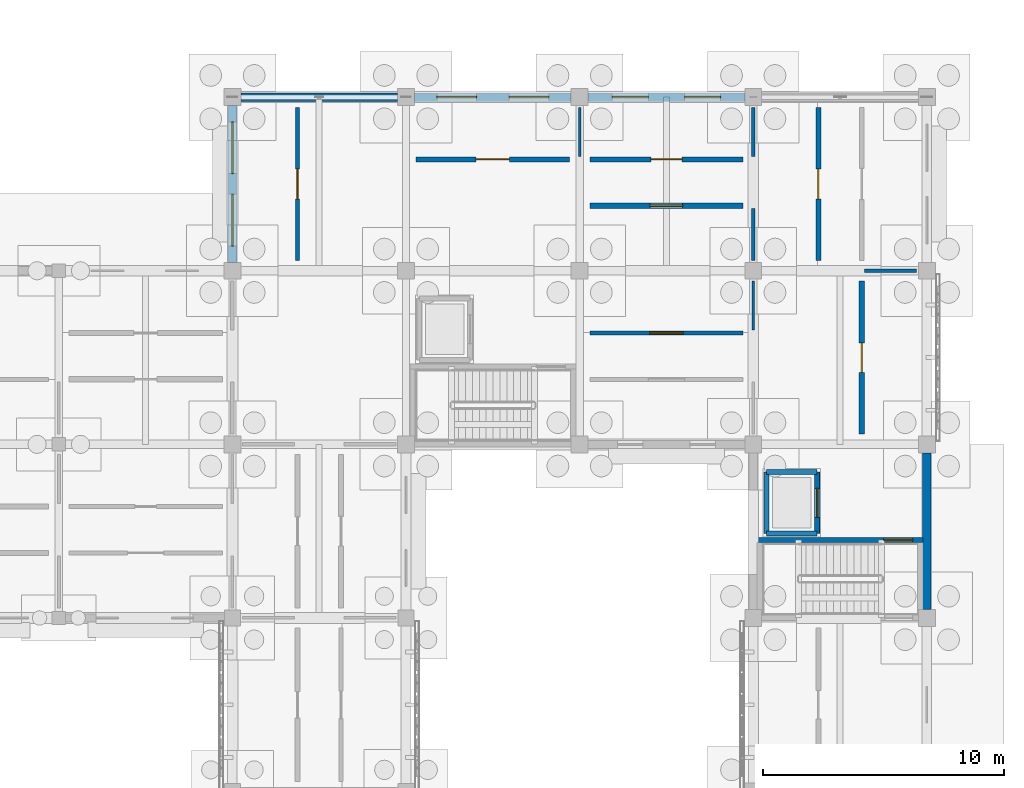
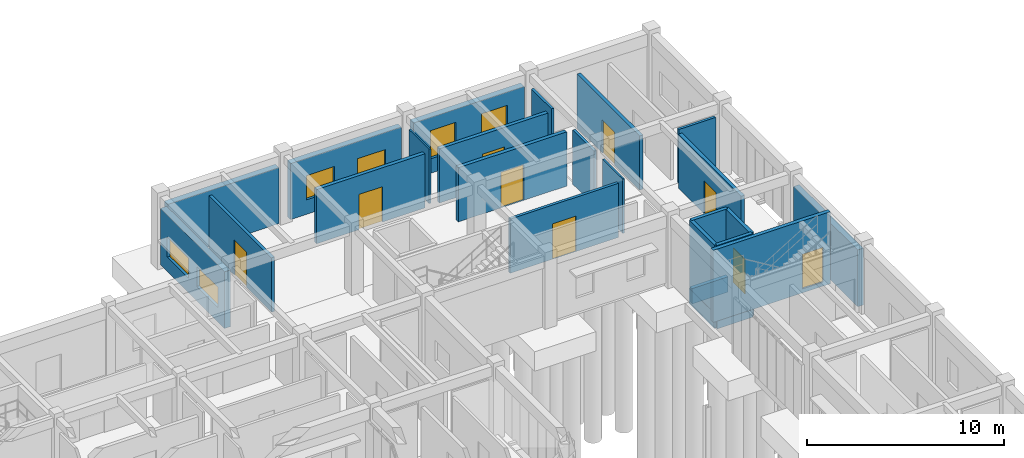
# One storey, part 83 of 111: 26 walls, 9 doors, 6 windows, 15 openings.
"""IFC4 building model written with IfcOpenShell, lengths in metres."""

from ifc_helpers import new_model, si_unit, direction, frame, frame_2d, origin, place, context, subcontext, project, spatial, rectangle, extrude, material, layer, layer_set, type_object, element, fill, save


model = new_model("IFC4")

# Units and contexts
model_context = context("Model", 3, precision=1e-05, world=origin(), true_north=direction((0.0, 1.0)))
body_context = subcontext(model_context, "Body", "Model", "MODEL_VIEW")
ifc_project = project(units=[si_unit("LENGTHUNIT", "METRE"), si_unit("AREAUNIT", "SQUARE_METRE"), si_unit("VOLUMEUNIT", "CUBIC_METRE"), si_unit("PLANEANGLEUNIT", "RADIAN"), si_unit("MASSUNIT", "GRAM", prefix="KILO")], contexts=[model_context])

# Site, building, storey
site_placement = place(None, origin())
site = spatial("IfcSite", under=ifc_project, at=site_placement, CompositionType="ELEMENT")
building_placement = place(site_placement, origin())
building = spatial("IfcBuilding", under=site, at=building_placement, Name="Aldebral Square Health Centre", CompositionType="ELEMENT")
storey_placement = place(building_placement, origin())
storey = spatial("IfcBuildingStorey", under=building, at=storey_placement, Name="L00", CompositionType="ELEMENT", Elevation=0.0)

# Wall, openings, windows
ifc_material_1 = material(Name="Cream cantera stone and concrete wall C35/45", Category="masonry")
ifc_layer_1 = layer(ifc_material_1, 0.340087890625, Name="Cream cantera stone and concrete wall C35/45", Category="masonry")
ifc_layer_set_1 = layer_set([ifc_layer_1], Name="Cream cantera stone and concrete wall C35/45")
wall_type_1 = type_object("IfcWallType", Name="EW-CAN-340", PredefinedType="SOLIDWALL", material=ifc_layer_set_1)
wall_1_placement = place(storey_placement, frame((150.85009765625, 115.199951171875, 0.0), z_axis=(0.0, 0.0, 1.0), x_axis=(-1.0, 0.0, 0.0)))
wall_1 = element("IfcWall", 1, at=wall_1_placement, inside=storey, type_object=wall_type_1, Name="L00 V5 exterior wall L00-V5-20-15-N", PredefinedType="SOLIDWALL", context=body_context, shape_type="SweptSolid", body=[
    extrude(rectangle(XDim=6.5, YDim=0.340087890625, at=frame_2d((3.25, 0.0))), origin(), (0.0, 0.0, 1.0), 3.469970703125),
])
opening_1_placement = place(wall_1_placement, frame((0.925048828125, 0.0, 0.89990234375)))
opening_1 = element("IfcOpeningElement", 2, at=opening_1_placement, cuts=wall_1, Name="Opening W24", PredefinedType="OPENING", context=body_context, shape_type="SweptSolid", body=[
    extrude(rectangle(XDim=1.64990234375, YDim=1.5, at=frame_2d((0.824951171875, 0.75))), frame((0.0, 0.18017578125, 0.0), z_axis=(0.0, -1.0, 0.0), x_axis=(1.0, 0.0, 0.0)), (0.0, 0.0, 1.0), 0.360107421875),
])
opening_2_placement = place(wall_1_placement, frame((3.925048828125, 0.0, 0.89990234375)))
opening_2 = element("IfcOpeningElement", 3, at=opening_2_placement, cuts=wall_1, Name="Opening W24", PredefinedType="OPENING", context=body_context, shape_type="SweptSolid", body=[
    extrude(rectangle(XDim=1.64990234375, YDim=1.5, at=frame_2d((0.824951171875, 0.75))), frame((0.0, 0.18017578125, 0.0), z_axis=(0.0, -1.0, 0.0), x_axis=(1.0, 0.0, 0.0)), (0.0, 0.0, 1.0), 0.360107421875),
])
ifc_material_2 = material(Name="Thermally broken aluminium and low-E glass", Category="aluminium")
window_type_1 = type_object("IfcWindowType", Name="WIN-W24", PartitioningType="SINGLE_PANEL", PredefinedType="WINDOW", material=ifc_material_2)
window_1_placement = place(opening_1_placement, origin())
window_1 = element("IfcWindow", 4, at=window_1_placement, inside=storey, type_object=window_type_1, Name="L00 clinical window L00-V5-20-15-N.1", OverallHeight=1.5, OverallWidth=1.64990234375, PartitioningType="SINGLE_PANEL", PredefinedType="WINDOW", context=body_context, shape_type="SweptSolid", body=[
    extrude(rectangle(XDim=1.64990234375, YDim=1.5, at=frame_2d((0.824951171875, 0.75))), frame((0.0, 0.030029296875, 0.0), z_axis=(0.0, -1.0, 0.0), x_axis=(1.0, 0.0, 0.0)), (0.0, 0.0, 1.0), 0.06005859375),
])
fill(opening_1, window_1)
window_2_placement = place(opening_2_placement, origin())
window_2 = element("IfcWindow", 5, at=window_2_placement, inside=storey, type_object=window_type_1, Name="L00 clinical window L00-V5-20-15-N.2", OverallHeight=1.5, OverallWidth=1.64990234375, PartitioningType="SINGLE_PANEL", PredefinedType="WINDOW", context=body_context, shape_type="SweptSolid", body=[
    extrude(rectangle(XDim=1.64990234375, YDim=1.5, at=frame_2d((0.824951171875, 0.75))), frame((0.0, 0.030029296875, 0.0), z_axis=(0.0, -1.0, 0.0), x_axis=(1.0, 0.0, 0.0)), (0.0, 0.0, 1.0), 0.06005859375),
])
fill(opening_2, window_2)

# Walls
wall_2_placement = place(storey_placement, frame((165.60009765625, 93.949951171875, 0.0), z_axis=(0.0, 0.0, 1.0), x_axis=(0.0, 1.0, 0.0)))
element("IfcWall", 6, at=wall_2_placement, inside=storey, type_object=wall_type_1, Name="L00 V5 exterior wall L00-V5-22-13-E", PredefinedType="SOLIDWALL", context=body_context, shape_type="SweptSolid", body=[
    extrude(rectangle(XDim=6.5, YDim=0.340087890625, at=frame_2d((3.25, 0.0))), origin(), (0.0, 0.0, 1.0), 3.52001953125),
])
ifc_layer_2 = layer(ifc_material_1, 0.360107421875, Name="Cream cantera stone and concrete wall C35/45", Category="masonry")
ifc_layer_set_2 = layer_set([ifc_layer_2], Name="Cream cantera stone and concrete wall C35/45")
wall_type_2 = type_object("IfcWallType", Name="EW-CAN-360", PredefinedType="SOLIDWALL", material=ifc_layer_set_2)
wall_3_placement = place(storey_placement, frame((143.64990234375, 115.199951171875, 0.0), z_axis=(0.0, 0.0, 1.0), x_axis=(-1.0, 0.0, 0.0)))
element("IfcWall", 7, at=wall_3_placement, inside=storey, type_object=wall_type_2, Name="L00 V5 exterior wall L00-V5-19-15-N", PredefinedType="SOLIDWALL", context=body_context, shape_type="SweptSolid", body=[
    extrude(rectangle(XDim=6.5, YDim=0.360107421875, at=frame_2d((3.25, 0.0))), origin(), (0.0, 0.0, 1.0), 3.469970703125),
])

# Wall, openings, windows
wall_4_placement = place(storey_placement, frame((136.800048828125, 114.85009765625, 0.0), z_axis=(0.0, 0.0, 1.0), x_axis=(0.0, -1.0, 0.0)))
wall_4 = element("IfcWall", 8, at=wall_4_placement, inside=storey, type_object=wall_type_2, Name="L00 V5 exterior wall L00-V5-19-15-W", PredefinedType="SOLIDWALL", context=body_context, shape_type="SweptSolid", body=[
    extrude(rectangle(XDim=6.5, YDim=0.360107421875, at=frame_2d((3.25, 0.0))), origin(), (0.0, 0.0, 1.0), 3.52001953125),
])
opening_3_placement = place(wall_4_placement, frame((0.675048828125, 0.0, 0.89990234375)))
opening_3 = element("IfcOpeningElement", 9, at=opening_3_placement, cuts=wall_4, Name="Opening W09", PredefinedType="OPENING", context=body_context, shape_type="SweptSolid", body=[
    extrude(rectangle(XDim=2.14990234375, YDim=1.25, at=frame_2d((1.074951171875, 0.625))), frame((0.0, 0.18994140625, 0.0), z_axis=(0.0, -1.0, 0.0), x_axis=(1.0, 0.0, 0.0)), (0.0, 0.0, 1.0), 0.380126953125),
])
opening_4_placement = place(wall_4_placement, frame((3.675048828125, 0.0, 0.89990234375)))
opening_4 = element("IfcOpeningElement", 10, at=opening_4_placement, cuts=wall_4, Name="Opening W09", PredefinedType="OPENING", context=body_context, shape_type="SweptSolid", body=[
    extrude(rectangle(XDim=2.14990234375, YDim=1.25, at=frame_2d((1.074951171875, 0.625))), frame((0.0, 0.18994140625, 0.0), z_axis=(0.0, -1.0, 0.0), x_axis=(1.0, 0.0, 0.0)), (0.0, 0.0, 1.0), 0.380126953125),
])
window_type_2 = type_object("IfcWindowType", Name="WIN-W09", PartitioningType="SINGLE_PANEL", PredefinedType="WINDOW", material=ifc_material_2)
window_3_placement = place(opening_3_placement, origin())
window_3 = element("IfcWindow", 11, at=window_3_placement, inside=storey, type_object=window_type_2, Name="L00 clinical window L00-V5-19-15-W.1", OverallHeight=1.25, OverallWidth=2.14990234375, PartitioningType="SINGLE_PANEL", PredefinedType="WINDOW", context=body_context, shape_type="SweptSolid", body=[
    extrude(rectangle(XDim=2.14990234375, YDim=1.25, at=frame_2d((1.074951171875, 0.625))), frame((0.0, 0.030029296875, 0.0), z_axis=(0.0, -1.0, 0.0), x_axis=(1.0, 0.0, 0.0)), (0.0, 0.0, 1.0), 0.06005859375),
])
fill(opening_3, window_3)
window_4_placement = place(opening_4_placement, origin())
window_4 = element("IfcWindow", 12, at=window_4_placement, inside=storey, type_object=window_type_2, Name="L00 clinical window L00-V5-19-15-W.2", OverallHeight=1.25, OverallWidth=2.14990234375, PartitioningType="SINGLE_PANEL", PredefinedType="WINDOW", context=body_context, shape_type="SweptSolid", body=[
    extrude(rectangle(XDim=2.14990234375, YDim=1.25, at=frame_2d((1.074951171875, 0.625))), frame((0.0, 0.030029296875, 0.0), z_axis=(0.0, -1.0, 0.0), x_axis=(1.0, 0.0, 0.0)), (0.0, 0.0, 1.0), 0.06005859375),
])
fill(opening_4, window_4)

wall_5_placement = place(storey_placement, frame((158.050048828125, 115.199951171875, 0.0), z_axis=(0.0, 0.0, 1.0), x_axis=(-1.0, 0.0, 0.0)))
wall_5 = element("IfcWall", 13, at=wall_5_placement, inside=storey, type_object=wall_type_2, Name="L00 V5 exterior wall L00-V5-21-15-N", PredefinedType="SOLIDWALL", context=body_context, shape_type="SweptSolid", body=[
    extrude(rectangle(XDim=6.5, YDim=0.360107421875, at=frame_2d((3.25, 0.0))), origin(), (0.0, 0.0, 1.0), 3.469970703125),
])
opening_5_placement = place(wall_5_placement, frame((1.0, 0.0, 0.89990234375)))
opening_5 = element("IfcOpeningElement", 14, at=opening_5_placement, cuts=wall_5, Name="Opening W41", PredefinedType="OPENING", context=body_context, shape_type="SweptSolid", body=[
    extrude(rectangle(XDim=1.5, YDim=1.75, at=frame_2d((0.75, 0.875))), frame((0.0, 0.18994140625, 0.0), z_axis=(0.0, -1.0, 0.0), x_axis=(1.0, 0.0, 0.0)), (0.0, 0.0, 1.0), 0.380126953125),
])
opening_6_placement = place(wall_5_placement, frame((4.0, 0.0, 0.89990234375)))
opening_6 = element("IfcOpeningElement", 15, at=opening_6_placement, cuts=wall_5, Name="Opening W41", PredefinedType="OPENING", context=body_context, shape_type="SweptSolid", body=[
    extrude(rectangle(XDim=1.5, YDim=1.75, at=frame_2d((0.75, 0.875))), frame((0.0, 0.18994140625, 0.0), z_axis=(0.0, -1.0, 0.0), x_axis=(1.0, 0.0, 0.0)), (0.0, 0.0, 1.0), 0.380126953125),
])
window_type_3 = type_object("IfcWindowType", Name="WIN-W41", PartitioningType="SINGLE_PANEL", PredefinedType="WINDOW", material=ifc_material_2)
window_5_placement = place(opening_5_placement, origin())
window_5 = element("IfcWindow", 16, at=window_5_placement, inside=storey, type_object=window_type_3, Name="L00 clinical window L00-V5-21-15-N.1", OverallHeight=1.75, OverallWidth=1.5, PartitioningType="SINGLE_PANEL", PredefinedType="WINDOW", context=body_context, shape_type="SweptSolid", body=[
    extrude(rectangle(XDim=1.5, YDim=1.75, at=frame_2d((0.75, 0.875))), frame((0.0, 0.030029296875, 0.0), z_axis=(0.0, -1.0, 0.0), x_axis=(1.0, 0.0, 0.0)), (0.0, 0.0, 1.0), 0.06005859375),
])
fill(opening_5, window_5)
window_6_placement = place(opening_6_placement, origin())
window_6 = element("IfcWindow", 17, at=window_6_placement, inside=storey, type_object=window_type_3, Name="L00 clinical window L00-V5-21-15-N.2", OverallHeight=1.75, OverallWidth=1.5, PartitioningType="SINGLE_PANEL", PredefinedType="WINDOW", context=body_context, shape_type="SweptSolid", body=[
    extrude(rectangle(XDim=1.5, YDim=1.75, at=frame_2d((0.75, 0.875))), frame((0.0, 0.030029296875, 0.0), z_axis=(0.0, -1.0, 0.0), x_axis=(1.0, 0.0, 0.0)), (0.0, 0.0, 1.0), 0.06005859375),
])
fill(opening_6, window_6)

# Wall, opening, door
ifc_material_3 = material(Name="Concrete C35/45 compartment wall", Category="concrete")
ifc_layer_3 = layer(ifc_material_3, 0.199951171875, Name="Concrete C35/45 compartment wall", Category="concrete")
ifc_layer_set_3 = layer_set([ifc_layer_3], Name="Concrete C35/45 compartment wall")
wall_type_3 = type_object("IfcWallType", Name="IW-CMP-200", PredefinedType="SOLIDWALL", material=ifc_layer_set_3)
wall_6_placement = place(storey_placement, frame((161.10009765625, 108.419921875, 0.0), z_axis=(0.0, 0.0, 1.0), x_axis=(0.0, 1.0, 0.0)))
wall_6 = element("IfcWall", 18, at=wall_6_placement, inside=storey, type_object=wall_type_3, Name="L00 Maternal-Child Clinic 23.16W corridor wall", PredefinedType="SOLIDWALL", context=body_context, shape_type="SweptSolid", body=[
    extrude(rectangle(XDim=6.360107421875, YDim=0.199951171875, at=frame_2d((3.18017578125, 0.0))), origin(), (0.0, 0.0, 1.0), 3.360107421875),
])
opening_7_placement = place(wall_6_placement, frame((2.550048828125, 0.0, 0.0)))
opening_7 = element("IfcOpeningElement", 19, at=opening_7_placement, cuts=wall_6, Name="Opening D-0162", PredefinedType="OPENING", context=body_context, shape_type="SweptSolid", body=[
    extrude(rectangle(XDim=1.260009765625, YDim=2.0400390625, at=frame_2d((0.6298828125, 1.02001953125))), frame((0.0, 0.10986328125, 0.0), z_axis=(0.0, -1.0, 0.0), x_axis=(1.0, 0.0, 0.0)), (0.0, 0.0, 1.0), 0.219970703125),
])
ifc_material_4 = material(Name="Clinical suite fire door")
door_type_1 = type_object("IfcDoorType", Name="ID-EXD-09", OperationType="NOTDEFINED", PredefinedType="DOOR", material=ifc_material_4)
door_1_placement = place(opening_7_placement, origin())
door_1 = element("IfcDoor", 20, at=door_1_placement, inside=storey, type_object=door_type_1, Name="L00 Maternal-Child Clinic 23.16W door", OperationType="SINGLE_SWING_LEFT", OverallHeight=2.0400390625, OverallWidth=1.260009765625, PredefinedType="DOOR", context=body_context, shape_type="SweptSolid", body=[
    extrude(rectangle(XDim=1.260009765625, YDim=2.0400390625, at=frame_2d((0.6298828125, 1.02001953125))), frame((0.0, 0.02490234375, 0.0), z_axis=(0.0, -1.0, 0.0), x_axis=(1.0, 0.0, 0.0)), (0.0, 0.0, 1.0), 0.050048828125),
])
fill(opening_7, door_1)

ifc_layer_4 = layer(ifc_material_3, 0.219970703125, Name="Concrete C35/45 compartment wall", Category="concrete")
ifc_layer_set_4 = layer_set([ifc_layer_4], Name="Concrete C35/45 compartment wall")
wall_type_4 = type_object("IfcWallType", Name="IW-CMP-220", PredefinedType="SOLIDWALL", material=ifc_layer_set_4)
wall_7_placement = place(storey_placement, frame((151.6201171875, 110.699951171875, 0.0), z_axis=(0.0, 0.0, 1.0), x_axis=(1.0, 0.0, 0.0)))
wall_7 = element("IfcWall", 21, at=wall_7_placement, inside=storey, type_object=wall_type_4, Name="L00 Standby Power Plant Room 22.16S corridor wall", PredefinedType="SOLIDWALL", context=body_context, shape_type="SweptSolid", body=[
    extrude(rectangle(XDim=6.35986328125, YDim=0.219970703125, at=frame_2d((3.179931640625, 0.0))), origin(), (0.0, 0.0, 1.0), 3.360107421875),
])
opening_8_placement = place(wall_7_placement, frame((2.5048828125, 0.0, 0.0)))
opening_8 = element("IfcOpeningElement", 22, at=opening_8_placement, cuts=wall_7, Name="Opening D-0151", PredefinedType="OPENING", context=body_context, shape_type="SweptSolid", body=[
    extrude(rectangle(XDim=1.35009765625, YDim=2.199951171875, at=frame_2d((0.675048828125, 1.10009765625))), frame((0.0, 0.1201171875, 0.0), z_axis=(0.0, -1.0, 0.0), x_axis=(1.0, 0.0, 0.0)), (0.0, 0.0, 1.0), 0.239990234375),
])
ifc_material_5 = material(Name="Lead-lined imaging suite door")
door_type_2 = type_object("IfcDoorType", Name="ID-IM-135", OperationType="NOTDEFINED", PredefinedType="DOOR", material=ifc_material_5)
door_2_placement = place(opening_8_placement, origin())
door_2 = element("IfcDoor", 23, at=door_2_placement, inside=storey, type_object=door_type_2, Name="L00 Standby Power Plant Room 22.16S door", OperationType="SINGLE_SWING_RIGHT", OverallHeight=2.199951171875, OverallWidth=1.35009765625, PredefinedType="DOOR", context=body_context, shape_type="SweptSolid", body=[
    extrude(rectangle(XDim=1.35009765625, YDim=2.199951171875, at=frame_2d((0.675048828125, 1.10009765625))), frame((0.0, 0.02490234375, 0.0), z_axis=(0.0, -1.0, 0.0), x_axis=(1.0, 0.0, 0.0)), (0.0, 0.0, 1.0), 0.050048828125),
])
fill(opening_8, door_2)

ifc_material_6 = material(Name="Fire-rated acoustic gypsum partition")
ifc_layer_5 = layer(ifc_material_6, 0.1650390625, Name="Fire-rated acoustic gypsum partition")
ifc_layer_set_5 = layer_set([ifc_layer_5], Name="Fire-rated acoustic gypsum partition")
wall_type_5 = type_object("IfcWallType", Name="IW-COR-165", PredefinedType="PARTITIONING", material=ifc_layer_set_5)
wall_8_placement = place(storey_placement, frame((151.6201171875, 105.419921875, 0.0), z_axis=(0.0, 0.0, 1.0), x_axis=(1.0, 0.0, 0.0)))
wall_8 = element("IfcWall", 24, at=wall_8_placement, inside=storey, type_object=wall_type_5, Name="L00 Medical Records Archive 22.15N corridor wall", PredefinedType="PARTITIONING", context=body_context, shape_type="SweptSolid", body=[
    extrude(rectangle(XDim=6.35986328125, YDim=0.1650390625, at=frame_2d((3.179931640625, 0.0))), origin(), (0.0, 0.0, 1.0), 3.360107421875),
])
opening_9_placement = place(wall_8_placement, frame((2.47998046875, 0.0, 0.0)))
opening_9 = element("IfcOpeningElement", 25, at=opening_9_placement, cuts=wall_8, Name="Opening D-0150", PredefinedType="OPENING", context=body_context, shape_type="SweptSolid", body=[
    extrude(rectangle(XDim=1.39990234375, YDim=2.199951171875, at=frame_2d((0.699951171875, 1.10009765625))), frame((0.0, 0.092529296875, 0.0), z_axis=(0.0, -1.0, 0.0), x_axis=(1.0, 0.0, 0.0)), (0.0, 0.0, 1.0), 0.18505859375),
])
ifc_material_7 = material(Name="Surgical recovery fire door")
door_type_3 = type_object("IfcDoorType", Name="ID-OR-140", OperationType="NOTDEFINED", PredefinedType="DOOR", material=ifc_material_7)
door_3_placement = place(opening_9_placement, origin())
door_3 = element("IfcDoor", 26, at=door_3_placement, inside=storey, type_object=door_type_3, Name="L00 Medical Records Archive 22.15N door", OperationType="SINGLE_SWING_LEFT", OverallHeight=2.199951171875, OverallWidth=1.39990234375, PredefinedType="DOOR", context=body_context, shape_type="SweptSolid", body=[
    extrude(rectangle(XDim=1.39990234375, YDim=2.199951171875, at=frame_2d((0.699951171875, 1.10009765625))), frame((0.0, 0.02490234375, 0.0), z_axis=(0.0, -1.0, 0.0), x_axis=(1.0, 0.0, 0.0)), (0.0, 0.0, 1.0), 0.050048828125),
])
fill(opening_9, door_3)

ifc_layer_6 = layer(ifc_material_6, 0.179931640625, Name="Fire-rated acoustic gypsum partition")
ifc_layer_set_6 = layer_set([ifc_layer_6], Name="Fire-rated acoustic gypsum partition")
wall_type_6 = type_object("IfcWallType", Name="IW-COR-180", PredefinedType="PARTITIONING", material=ifc_layer_set_6)
wall_9_placement = place(storey_placement, frame((139.5, 108.419921875, 0.0), z_axis=(0.0, 0.0, 1.0), x_axis=(0.0, 1.0, 0.0)))
wall_9 = element("IfcWall", 27, at=wall_9_placement, inside=storey, type_object=wall_type_6, Name="L00 Outpatient Blood Draw 20.16W corridor wall", PredefinedType="PARTITIONING", context=body_context, shape_type="SweptSolid", body=[
    extrude(rectangle(XDim=6.360107421875, YDim=0.179931640625, at=frame_2d((3.18017578125, 0.0))), origin(), (0.0, 0.0, 1.0), 3.360107421875),
])
opening_10_placement = place(wall_9_placement, frame((2.550048828125, 0.0, 0.0)))
opening_10 = element("IfcOpeningElement", 28, at=opening_10_placement, cuts=wall_9, Name="Opening D-0141", PredefinedType="OPENING", context=body_context, shape_type="SweptSolid", body=[
    extrude(rectangle(XDim=1.260009765625, YDim=2.18994140625, at=frame_2d((0.6298828125, 1.094970703125))), frame((0.0, 0.10009765625, 0.0), z_axis=(0.0, -1.0, 0.0), x_axis=(1.0, 0.0, 0.0)), (0.0, 0.0, 1.0), 0.199951171875),
])
door_type_4 = type_object("IfcDoorType", Name="ID-EXD-57", OperationType="NOTDEFINED", PredefinedType="DOOR", material=ifc_material_4)
door_4_placement = place(opening_10_placement, origin())
door_4 = element("IfcDoor", 29, at=door_4_placement, inside=storey, type_object=door_type_4, Name="L00 Outpatient Blood Draw 20.16W door", OperationType="SINGLE_SWING_RIGHT", OverallHeight=2.18994140625, OverallWidth=1.260009765625, PredefinedType="DOOR", context=body_context, shape_type="SweptSolid", body=[
    extrude(rectangle(XDim=1.260009765625, YDim=2.18994140625, at=frame_2d((0.6298828125, 1.094970703125))), frame((0.0, 0.02490234375, 0.0), z_axis=(0.0, -1.0, 0.0), x_axis=(1.0, 0.0, 0.0)), (0.0, 0.0, 1.0), 0.050048828125),
])
fill(opening_10, door_4)

ifc_material_8 = material(Name="Concrete C40/50", Category="concrete")
ifc_layer_7 = layer(ifc_material_8, 0.219970703125, Name="Concrete C40/50", Category="concrete")
ifc_layer_set_7 = layer_set([ifc_layer_7], Name="Concrete C40/50")
wall_type_7 = type_object("IfcWallType", Name="IW-CORE-280", PredefinedType="SHEAR", material=ifc_layer_set_7)
wall_10_placement = place(storey_placement, frame((158.56005859375, 96.830078125, -0.25), z_axis=(0.0, 0.0, 1.0), x_axis=(1.0, 0.0, 0.0)))
wall_10 = element("IfcWall", 30, at=wall_10_placement, inside=storey, type_object=wall_type_7, Name="L00 WC-C3 shaft wall N", PredefinedType="SHEAR", context=body_context, shape_type="SweptSolid", body=[
    extrude(rectangle(XDim=6.8798828125, YDim=0.219970703125, at=frame_2d((3.43994140625, 0.0))), origin(), (0.0, 0.0, 1.0), 4.469970703125),
])
opening_11_placement = place(wall_10_placement, frame((5.25, 0.0, 0.25)))
opening_11 = element("IfcOpeningElement", 31, at=opening_11_placement, cuts=wall_10, Name="Opening D-0031", PredefinedType="OPENING", context=body_context, shape_type="SweptSolid", body=[
    extrude(rectangle(XDim=1.199951171875, YDim=2.14990234375, at=frame_2d((0.60009765625, 1.074951171875))), frame((0.0, 0.1201171875, 0.0), z_axis=(0.0, -1.0, 0.0), x_axis=(1.0, 0.0, 0.0)), (0.0, 0.0, 1.0), 0.239990234375),
])
ifc_material_9 = material(Name="Fire-rated steel stair door", Category="steel")
door_type_5 = type_object("IfcDoorType", Name="ID-ST-120", OperationType="NOTDEFINED", PredefinedType="DOOR", material=ifc_material_9)
door_5_placement = place(opening_11_placement, origin())
door_5 = element("IfcDoor", 32, at=door_5_placement, inside=storey, type_object=door_type_5, Name="L00 ST-03 fire door", OperationType="SINGLE_SWING_RIGHT", OverallHeight=2.14990234375, OverallWidth=1.199951171875, PredefinedType="DOOR", context=body_context, shape_type="SweptSolid", body=[
    extrude(rectangle(XDim=1.199951171875, YDim=2.14990234375, at=frame_2d((0.60009765625, 1.074951171875))), frame((0.0, 0.02490234375, 0.0), z_axis=(0.0, -1.0, 0.0), x_axis=(1.0, 0.0, 0.0)), (0.0, 0.0, 1.0), 0.050048828125),
])
fill(opening_11, door_5)

# Walls
ifc_layer_8 = layer(ifc_material_8, 0.219970703125, Name="Concrete C40/50", Category="concrete")
ifc_layer_set_8 = layer_set([ifc_layer_8], Name="Concrete C40/50")
wall_type_8 = type_object("IfcWallType", Name="IW-LFT-220", PredefinedType="SHEAR", material=ifc_layer_set_8)
wall_11_placement = place(storey_placement, frame((158.949951171875, 97.10009765625, -0.949951171875), z_axis=(0.0, 0.0, 1.0), x_axis=(1.0, 0.0, 0.0)))
element("IfcWall", 33, at=wall_11_placement, inside=storey, type_object=wall_type_8, Name="LF-03 pit wall 1", PredefinedType="SHEAR", context=body_context, shape_type="SweptSolid", body=[
    extrude(rectangle(XDim=2.10009765625, YDim=0.219970703125, at=frame_2d((1.050048828125, 0.0))), origin(), (0.0, 0.0, 1.0), 0.949951171875),
])
wall_12_placement = place(storey_placement, frame((161.050048828125, 97.10009765625, -0.949951171875), z_axis=(0.0, 0.0, 1.0), x_axis=(0.0, 1.0, 0.0)))
element("IfcWall", 34, at=wall_12_placement, inside=storey, type_object=wall_type_8, Name="LF-03 pit wall 2", PredefinedType="SHEAR", context=body_context, shape_type="SweptSolid", body=[
    extrude(rectangle(XDim=2.5498046875, YDim=0.219970703125, at=frame_2d((1.27490234375, 0.0))), origin(), (0.0, 0.0, 1.0), 0.949951171875),
])
wall_13_placement = place(storey_placement, frame((161.050048828125, 99.64990234375, -0.949951171875), z_axis=(0.0, 0.0, 1.0), x_axis=(-1.0, 0.0, 0.0)))
element("IfcWall", 35, at=wall_13_placement, inside=storey, type_object=wall_type_8, Name="LF-03 pit wall 3", PredefinedType="SHEAR", context=body_context, shape_type="SweptSolid", body=[
    extrude(rectangle(XDim=2.10009765625, YDim=0.219970703125, at=frame_2d((1.050048828125, 0.0))), origin(), (0.0, 0.0, 1.0), 0.949951171875),
])
wall_14_placement = place(storey_placement, frame((158.949951171875, 99.64990234375, -0.949951171875), z_axis=(0.0, 0.0, 1.0), x_axis=(0.0, -1.0, 0.0)))
element("IfcWall", 36, at=wall_14_placement, inside=storey, type_object=wall_type_8, Name="LF-03 pit wall 4", PredefinedType="SHEAR", context=body_context, shape_type="SweptSolid", body=[
    extrude(rectangle(XDim=2.5498046875, YDim=0.219970703125, at=frame_2d((1.27490234375, 0.0))), origin(), (0.0, 0.0, 1.0), 0.949951171875),
])
ifc_layer_9 = layer(ifc_material_8, 0.199951171875, Name="Concrete C40/50", Category="concrete")
ifc_layer_set_9 = layer_set([ifc_layer_9], Name="Concrete C40/50")
wall_type_9 = type_object("IfcWallType", Name="IW-LFT-250", PredefinedType="SHEAR", material=ifc_layer_set_9)
wall_15_placement = place(storey_placement, frame((158.949951171875, 97.10009765625, 0.0), z_axis=(0.0, 0.0, 1.0), x_axis=(1.0, 0.0, 0.0)))
element("IfcWall", 37, at=wall_15_placement, inside=storey, type_object=wall_type_9, Name="L00 LF-03 shaft wall S", PredefinedType="SHEAR", context=body_context, shape_type="SweptSolid", body=[
    extrude(rectangle(XDim=2.10009765625, YDim=0.199951171875, at=frame_2d((1.050048828125, 0.0))), origin(), (0.0, 0.0, 1.0), 4.219970703125),
])
wall_16_placement = place(storey_placement, frame((158.949951171875, 97.10009765625, 0.0), z_axis=(0.0, 0.0, 1.0), x_axis=(0.0, 1.0, 0.0)))
element("IfcWall", 38, at=wall_16_placement, inside=storey, type_object=wall_type_9, Name="L00 LF-03 shaft wall W", PredefinedType="SHEAR", context=body_context, shape_type="SweptSolid", body=[
    extrude(rectangle(XDim=2.5498046875, YDim=0.199951171875, at=frame_2d((1.27490234375, 0.0))), origin(), (0.0, 0.0, 1.0), 4.219970703125),
])
wall_17_placement = place(storey_placement, frame((158.949951171875, 99.64990234375, 0.0), z_axis=(0.0, 0.0, 1.0), x_axis=(1.0, 0.0, 0.0)))
element("IfcWall", 39, at=wall_17_placement, inside=storey, type_object=wall_type_9, Name="L00 LF-03 shaft wall N", PredefinedType="SHEAR", context=body_context, shape_type="SweptSolid", body=[
    extrude(rectangle(XDim=2.10009765625, YDim=0.199951171875, at=frame_2d((1.050048828125, 0.0))), origin(), (0.0, 0.0, 1.0), 4.219970703125),
])

# Wall, opening, door
wall_18_placement = place(storey_placement, frame((161.050048828125, 97.10009765625, 0.0), z_axis=(0.0, 0.0, 1.0), x_axis=(0.0, 1.0, 0.0)))
wall_18 = element("IfcWall", 40, at=wall_18_placement, inside=storey, type_object=wall_type_9, Name="L00 LF-03 landing wall", PredefinedType="SHEAR", context=body_context, shape_type="SweptSolid", body=[
    extrude(rectangle(XDim=2.5498046875, YDim=0.199951171875, at=frame_2d((1.27490234375, 0.0))), origin(), (0.0, 0.0, 1.0), 4.219970703125),
])
opening_12_placement = place(wall_18_placement, frame((0.675048828125, 0.0, 0.0)))
opening_12 = element("IfcOpeningElement", 41, at=opening_12_placement, cuts=wall_18, Name="Opening LD-3", PredefinedType="OPENING", context=body_context, shape_type="SweptSolid", body=[
    extrude(rectangle(XDim=1.199951171875, YDim=2.14990234375, at=frame_2d((0.60009765625, 1.074951171875))), frame((0.0, 0.10986328125, 0.0), z_axis=(0.0, -1.0, 0.0), x_axis=(1.0, 0.0, 0.0)), (0.0, 0.0, 1.0), 0.219970703125),
])
ifc_material_10 = material(Name="Stainless steel passenger lift landing door", Category="steel")
door_type_6 = type_object("IfcDoorType", Name="ID-LD-120", OperationType="SLIDING_TO_LEFT", PredefinedType="DOOR", material=ifc_material_10)
door_6_placement = place(opening_12_placement, origin())
door_6 = element("IfcDoor", 42, at=door_6_placement, inside=storey, type_object=door_type_6, Name="L00 LF-03 sliding landing door", OperationType="SLIDING_TO_LEFT", OverallHeight=2.14990234375, OverallWidth=1.199951171875, PredefinedType="DOOR", context=body_context, shape_type="SweptSolid", body=[
    extrude(rectangle(XDim=1.199951171875, YDim=2.14990234375, at=frame_2d((0.60009765625, 1.074951171875))), frame((0.0, 0.02490234375, 0.0), z_axis=(0.0, -1.0, 0.0), x_axis=(1.0, 0.0, 0.0)), (0.0, 0.0, 1.0), 0.050048828125),
])
fill(opening_12, door_6)

ifc_material_11 = material(Name="Moisture-resistant sanitary chase wall")
ifc_layer_10 = layer(ifc_material_11, 0.2099609375, Name="Moisture-resistant sanitary chase wall")
ifc_layer_set_10 = layer_set([ifc_layer_10], Name="Moisture-resistant sanitary chase wall")
wall_type_10 = type_object("IfcWallType", Name="IW-PLB-210", PredefinedType="PLUMBINGWALL", material=ifc_layer_set_10)
wall_19_placement = place(storey_placement, frame((144.419921875, 112.6201171875, 0.0), z_axis=(0.0, 0.0, 1.0), x_axis=(1.0, 0.0, 0.0)))
wall_19 = element("IfcWall", 43, at=wall_19_placement, inside=storey, type_object=wall_type_10, Name="L00 Accessible WC 21.16N corridor wall", PredefinedType="PLUMBINGWALL", context=body_context, shape_type="SweptSolid", body=[
    extrude(rectangle(XDim=6.360107421875, YDim=0.2099609375, at=frame_2d((3.18017578125, 0.0))), origin(), (0.0, 0.0, 1.0), 3.360107421875),
])
opening_13_placement = place(wall_19_placement, frame((2.489990234375, 0.0, 0.0)))
opening_13 = element("IfcOpeningElement", 44, at=opening_13_placement, cuts=wall_19, Name="Opening D-0144", PredefinedType="OPENING", context=body_context, shape_type="SweptSolid", body=[
    extrude(rectangle(XDim=1.3798828125, YDim=2.18994140625, at=frame_2d((0.68994140625, 1.094970703125))), frame((0.0, 0.114990234375, 0.0), z_axis=(0.0, -1.0, 0.0), x_axis=(1.0, 0.0, 0.0)), (0.0, 0.0, 1.0), 0.22998046875),
])
door_type_7 = type_object("IfcDoorType", Name="ID-EXD-60", OperationType="NOTDEFINED", PredefinedType="DOOR", material=ifc_material_4)
door_7_placement = place(opening_13_placement, origin())
door_7 = element("IfcDoor", 45, at=door_7_placement, inside=storey, type_object=door_type_7, Name="L00 Accessible WC 21.16N door", OperationType="SINGLE_SWING_LEFT", OverallHeight=2.18994140625, OverallWidth=1.3798828125, PredefinedType="DOOR", context=body_context, shape_type="SweptSolid", body=[
    extrude(rectangle(XDim=1.3798828125, YDim=2.18994140625, at=frame_2d((0.68994140625, 1.094970703125))), frame((0.0, 0.02490234375, 0.0), z_axis=(0.0, -1.0, 0.0), x_axis=(1.0, 0.0, 0.0)), (0.0, 0.0, 1.0), 0.050048828125),
])
fill(opening_13, door_7)

wall_20_placement = place(storey_placement, frame((151.6201171875, 112.6201171875, 0.0), z_axis=(0.0, 0.0, 1.0), x_axis=(1.0, 0.0, 0.0)))
wall_20 = element("IfcWall", 46, at=wall_20_placement, inside=storey, type_object=wall_type_10, Name="L00 Accessible WC 22.16N corridor wall", PredefinedType="PLUMBINGWALL", context=body_context, shape_type="SweptSolid", body=[
    extrude(rectangle(XDim=6.35986328125, YDim=0.2099609375, at=frame_2d((3.179931640625, 0.0))), origin(), (0.0, 0.0, 1.0), 3.360107421875),
])
opening_14_placement = place(wall_20_placement, frame((2.530029296875, 0.0, 0.0)))
opening_14 = element("IfcOpeningElement", 47, at=opening_14_placement, cuts=wall_20, Name="Opening D-0152", PredefinedType="OPENING", context=body_context, shape_type="SweptSolid", body=[
    extrude(rectangle(XDim=1.300048828125, YDim=2.14990234375, at=frame_2d((0.64990234375, 1.074951171875))), frame((0.0, 0.114990234375, 0.0), z_axis=(0.0, -1.0, 0.0), x_axis=(1.0, 0.0, 0.0)), (0.0, 0.0, 1.0), 0.22998046875),
])
ifc_material_12 = material(Name="Radiography shielded fire door")
door_type_8 = type_object("IfcDoorType", Name="ID-IM-130", OperationType="NOTDEFINED", PredefinedType="DOOR", material=ifc_material_12)
door_8_placement = place(opening_14_placement, origin())
door_8 = element("IfcDoor", 48, at=door_8_placement, inside=storey, type_object=door_type_8, Name="L00 Accessible WC 22.16N door", OperationType="SINGLE_SWING_LEFT", OverallHeight=2.14990234375, OverallWidth=1.300048828125, PredefinedType="DOOR", context=body_context, shape_type="SweptSolid", body=[
    extrude(rectangle(XDim=1.300048828125, YDim=2.14990234375, at=frame_2d((0.64990234375, 1.074951171875))), frame((0.0, 0.02490234375, 0.0), z_axis=(0.0, -1.0, 0.0), x_axis=(1.0, 0.0, 0.0)), (0.0, 0.0, 1.0), 0.050048828125),
])
fill(opening_14, door_8)

wall_21_placement = place(storey_placement, frame((162.89990234375, 101.219970703125, 0.0), z_axis=(0.0, 0.0, 1.0), x_axis=(0.0, 1.0, 0.0)))
wall_21 = element("IfcWall", 49, at=wall_21_placement, inside=storey, type_object=wall_type_10, Name="L00 Public Toilet 23.15E corridor wall", PredefinedType="PLUMBINGWALL", context=body_context, shape_type="SweptSolid", body=[
    extrude(rectangle(XDim=6.360107421875, YDim=0.2099609375, at=frame_2d((3.18017578125, 0.0))), origin(), (0.0, 0.0, 1.0), 3.360107421875),
])
opening_15_placement = place(wall_21_placement, frame((2.570068359375, 0.0, 0.0)))
opening_15 = element("IfcOpeningElement", 50, at=opening_15_placement, cuts=wall_21, Name="Opening D-0161", PredefinedType="OPENING", context=body_context, shape_type="SweptSolid", body=[
    extrude(rectangle(XDim=1.219970703125, YDim=2.0400390625, at=frame_2d((0.60986328125, 1.02001953125))), frame((0.0, 0.114990234375, 0.0), z_axis=(0.0, -1.0, 0.0), x_axis=(1.0, 0.0, 0.0)), (0.0, 0.0, 1.0), 0.22998046875),
])
door_type_9 = type_object("IfcDoorType", Name="ID-EXD-08", OperationType="NOTDEFINED", PredefinedType="DOOR", material=ifc_material_4)
door_9_placement = place(opening_15_placement, origin())
door_9 = element("IfcDoor", 51, at=door_9_placement, inside=storey, type_object=door_type_9, Name="L00 Public Toilet 23.15E door", OperationType="SINGLE_SWING_RIGHT", OverallHeight=2.0400390625, OverallWidth=1.219970703125, PredefinedType="DOOR", context=body_context, shape_type="SweptSolid", body=[
    extrude(rectangle(XDim=1.219970703125, YDim=2.0400390625, at=frame_2d((0.60986328125, 1.02001953125))), frame((0.0, 0.02490234375, 0.0), z_axis=(0.0, -1.0, 0.0), x_axis=(1.0, 0.0, 0.0)), (0.0, 0.0, 1.0), 0.050048828125),
])
fill(opening_15, door_9)

# Walls
ifc_material_13 = material(Name="Lightweight clinical partition")
ifc_layer_11 = layer(ifc_material_13, 0.10498046875, Name="Lightweight clinical partition")
ifc_layer_set_11 = layer_set([ifc_layer_11], Name="Lightweight clinical partition")
wall_type_11 = type_object("IfcWallType", Name="IW-PRT-105", PredefinedType="PARTITIONING", material=ifc_layer_set_11)
for number, where, z_axis, x_axis, name in (
    (52, (151.199951171875, 112.739990234375, 0.0), (0.0, 0.0, 1.0), (0.0, 1.0, 0.0), "L00 Accessible WC 21.16N demising partition"),
    (53, (158.39990234375, 105.5400390625, 0.0), (0.0, 0.0, 1.0), (0.0, 1.0, 0.0), "L00 Medical Records Archive 22.15N demising partition"),
):
    element("IfcWall", number, at=place(storey_placement, frame(where, z_axis=z_axis, x_axis=x_axis)), inside=storey, type_object=wall_type_11, Name=name, PredefinedType="PARTITIONING", context=body_context, shape_type="SweptSolid", body=[
        extrude(rectangle(XDim=2.0400390625, YDim=0.10498046875, at=frame_2d((1.02001953125, 0.0))), origin(), (0.0, 0.0, 1.0), 3.360107421875),
    ])
ifc_material_14 = material(Name="Acoustic clinical gypsum partition")
ifc_layer_12 = layer(ifc_material_14, 0.14990234375, Name="Acoustic clinical gypsum partition")
ifc_layer_set_12 = layer_set([ifc_layer_12], Name="Acoustic clinical gypsum partition")
wall_type_12 = type_object("IfcWallType", Name="IW-PRT-150", PredefinedType="PARTITIONING", material=ifc_layer_set_12)
wall_22_placement = place(storey_placement, frame((158.39990234375, 108.419921875, 0.0), z_axis=(0.0, 0.0, 1.0), x_axis=(0.0, 1.0, 0.0)))
element("IfcWall", 54, at=wall_22_placement, inside=storey, type_object=wall_type_12, Name="L00 Standby Power Plant Room 22.16S demising partition", PredefinedType="PARTITIONING", context=body_context, shape_type="SweptSolid", body=[
    extrude(rectangle(XDim=2.16015625, YDim=0.14990234375, at=frame_2d((1.080078125, 0.0))), origin(), (0.0, 0.0, 1.0), 3.360107421875),
])
wall_23_placement = place(storey_placement, frame((158.39990234375, 112.739990234375, 0.0), z_axis=(0.0, 0.0, 1.0), x_axis=(0.0, 1.0, 0.0)))
element("IfcWall", 55, at=wall_23_placement, inside=storey, type_object=wall_type_12, Name="L00 Accessible WC 22.16N demising partition", PredefinedType="PARTITIONING", context=body_context, shape_type="SweptSolid", body=[
    extrude(rectangle(XDim=2.0400390625, YDim=0.14990234375, at=frame_2d((1.02001953125, 0.0))), origin(), (0.0, 0.0, 1.0), 3.360107421875),
])
wall_24_placement = place(storey_placement, frame((163.02001953125, 108.0, 0.0), z_axis=(0.0, 0.0, 1.0), x_axis=(1.0, 0.0, 0.0)))
element("IfcWall", 56, at=wall_24_placement, inside=storey, type_object=wall_type_12, Name="L00 Public Toilet 23.15E demising partition", PredefinedType="PARTITIONING", context=body_context, shape_type="SweptSolid", body=[
    extrude(rectangle(XDim=2.159912109375, YDim=0.14990234375, at=frame_2d((1.080078125, 0.0))), origin(), (0.0, 0.0, 1.0), 3.360107421875),
])

save(model, "model.ifc")
